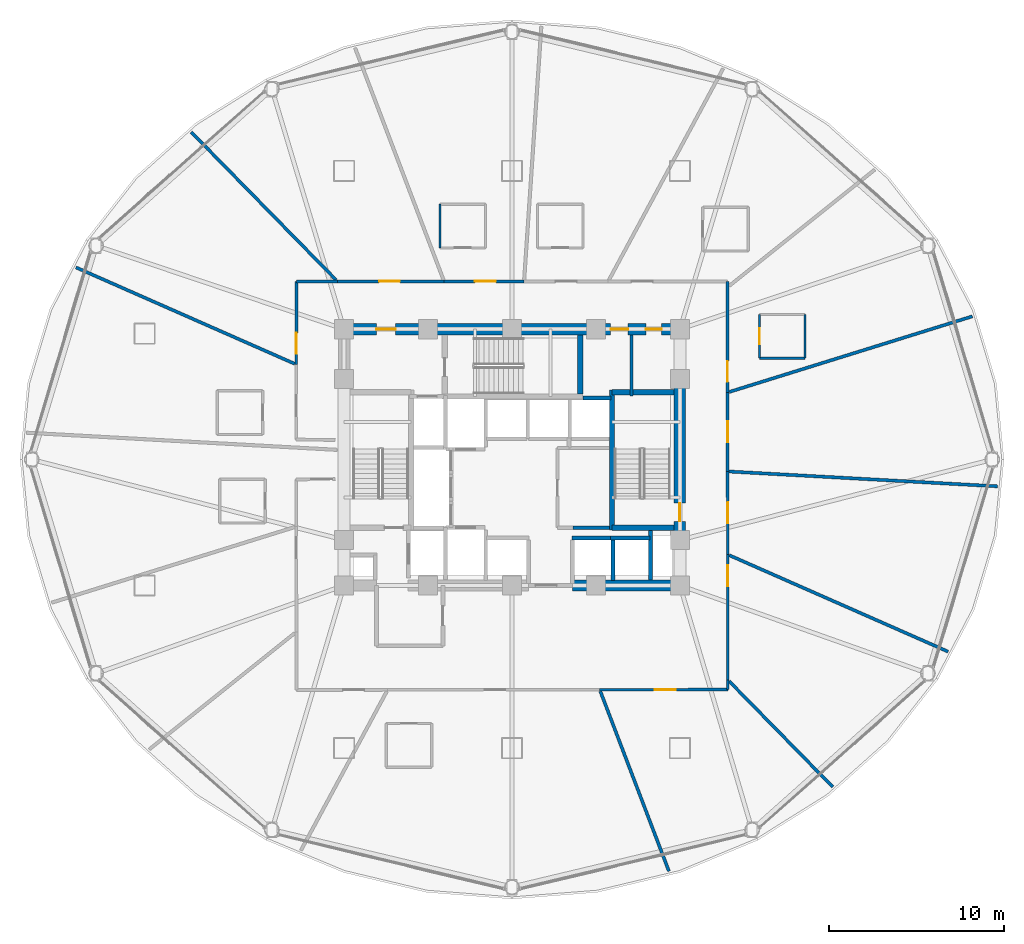
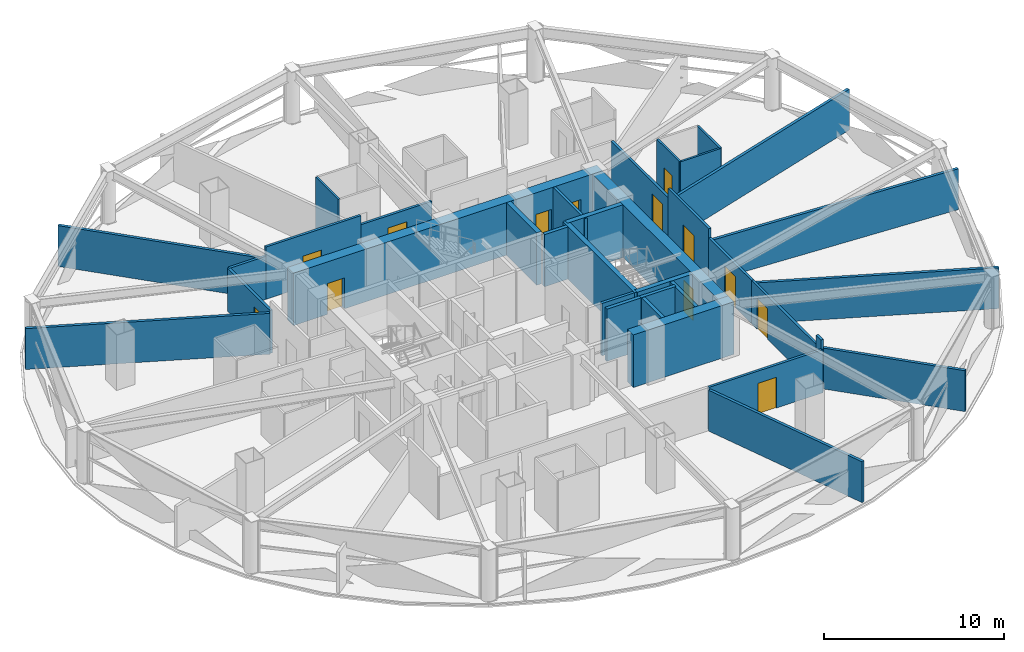
# One storey, part 23 of 29: 35 walls, 13 doors, 13 openings.
"""IFC4 building model written with IfcOpenShell, lengths in metres."""

from ifc_helpers import new_model, si_unit, direction, frame, frame_2d, origin, place, context, subcontext, project, spatial, rectangle, extrude, material, layer, layer_set, type_object, element, fill, save


model = new_model("IFC4")

# Units and contexts
model_context = context("Model", 3, precision=1e-05, world=origin(), true_north=direction((0.0, 1.0)))
body_context = subcontext(model_context, "Body", "Model", "MODEL_VIEW")
ifc_project = project(units=[si_unit("LENGTHUNIT", "METRE"), si_unit("AREAUNIT", "SQUARE_METRE"), si_unit("VOLUMEUNIT", "CUBIC_METRE"), si_unit("PLANEANGLEUNIT", "RADIAN"), si_unit("MASSUNIT", "GRAM", prefix="KILO")], contexts=[model_context])

# Site, building, storey
site_placement = place(None, origin())
site = spatial("IfcSite", under=ifc_project, at=site_placement, CompositionType="ELEMENT")
building_placement = place(site_placement, origin())
building = spatial("IfcBuilding", under=site, at=building_placement, Name="Vantalir Tower", CompositionType="ELEMENT")
storey_placement = place(building_placement, frame((0.0, 0.0, 60.75)))
storey = spatial("IfcBuildingStorey", under=building, at=storey_placement, Name="L14", CompositionType="ELEMENT", Elevation=60.75)

# Wall
ifc_material_1 = material(Name="Moisture-resistant en-suite partition", Category="gypsum")
ifc_layer_1 = layer(ifc_material_1, 0.125)
ifc_layer_set_1 = layer_set([ifc_layer_1], Name="Moisture-resistant en-suite partition")
wall_type_1 = type_object("IfcWallType", Name="WL-BATH-125", PredefinedType="PARTITIONING", material=ifc_layer_set_1)
wall_1_placement = place(storey_placement, frame((45.64990234375, 30.79296875, 0.0), z_axis=(0.0, 0.0, 1.0), x_axis=(1.0, 0.0, 0.0)))
element("IfcWall", 1, at=wall_1_placement, inside=storey, type_object=wall_type_1, Name="L14 En-suite 01 South Wall", PredefinedType="PARTITIONING", context=body_context, shape_type="SweptSolid", body=[
    extrude(rectangle(XDim=2.60009765625, YDim=0.125, at=frame_2d((1.300048828125, 0.0))), origin(), (0.0, 0.0, 1.0), 3.550048828125),
])

# Wall, opening, door
wall_2_placement = place(storey_placement, frame((45.64990234375, 30.79296875, 0.0), z_axis=(0.0, 0.0, 1.0), x_axis=(0.0, 1.0, 0.0)))
wall_2 = element("IfcWall", 2, at=wall_2_placement, inside=storey, type_object=wall_type_1, Name="L14 En-suite 01 West Wall", PredefinedType="PARTITIONING", context=body_context, shape_type="SweptSolid", body=[
    extrude(rectangle(XDim=2.5, YDim=0.125, at=frame_2d((1.25, 0.0))), origin(), (0.0, 0.0, 1.0), 3.550048828125),
])
opening_1_placement = place(wall_2_placement, frame((0.800048828125, 0.0, 0.0)))
opening_1 = element("IfcOpeningElement", 3, at=opening_1_placement, cuts=wall_2, Name="Opening D-WC", PredefinedType="OPENING", context=body_context, shape_type="SweptSolid", body=[
    extrude(rectangle(XDim=0.89990234375, YDim=2.10009765625, at=frame_2d((0.449951171875, 1.050048828125))), frame((0.0, 0.072509765625, 0.0), z_axis=(0.0, -1.0, 0.0), x_axis=(1.0, 0.0, 0.0)), (0.0, 0.0, 1.0), 0.14501953125),
])
ifc_material_2 = material(Name="Moisture-resistant hardwood door", Category="wood")
door_type_1 = type_object("IfcDoorType", Name="DR-ENSUITE-900", OperationType="NOTDEFINED", PredefinedType="DOOR", material=ifc_material_2)
door_1_placement = place(opening_1_placement, frame((0.89990234375, 0.0, 0.0), z_axis=(0.0, 0.0, 1.0), x_axis=(-1.0, 0.0, 0.0)))
door_1 = element("IfcDoor", 4, at=door_1_placement, inside=storey, type_object=door_type_1, Name="L14 En-suite 01 Door", OperationType="SINGLE_SWING_RIGHT", OverallHeight=2.10009765625, OverallWidth=0.89990234375, PredefinedType="DOOR", context=body_context, shape_type="SweptSolid", body=[
    extrude(rectangle(XDim=0.89990234375, YDim=2.10009765625, at=frame_2d((0.449951171875, 1.050048828125))), frame((0.0, 0.02490234375, 0.0), z_axis=(0.0, -1.0, 0.0), x_axis=(1.0, 0.0, 0.0)), (0.0, 0.0, 1.0), 0.050048828125),
])
fill(opening_1, door_1)

# Walls
for number, where, z_axis, x_axis, name in (
    (5, (48.25, 30.79296875, 0.0), (0.0, 0.0, 1.0), (0.0, 1.0, 0.0), "L14 En-suite 01 East Wall"),
    (6, (27.381103515625, 37.097900390625, 0.0), (0.0, 0.0, 1.0), (0.0, 1.0, 0.0), "L14 En-suite 04 West Wall"),
):
    element("IfcWall", number, at=place(storey_placement, frame(where, z_axis=z_axis, x_axis=x_axis)), inside=storey, type_object=wall_type_1, Name=name, PredefinedType="PARTITIONING", context=body_context, shape_type="SweptSolid", body=[
        extrude(rectangle(XDim=2.5, YDim=0.125, at=frame_2d((1.25, 0.0))), origin(), (0.0, 0.0, 1.0), 3.550048828125),
    ])
ifc_material_3 = material(Name="Concrete C60/75", Category="concrete")
ifc_layer_2 = layer(ifc_material_3, 0.64990234375)
ifc_layer_set_2 = layer_set([ifc_layer_2], Name="Concrete C60/75")
wall_type_2 = type_object("IfcWallType", Name="WL-CORE-650", PredefinedType="SHEAR", material=ifc_layer_set_2)
wall_3_placement = place(storey_placement, frame((34.949951171875, 17.800048828125, 0.0), z_axis=(0.0, 0.0, 1.0), x_axis=(1.0, 0.0, 0.0)))
element("IfcWall", 7, at=wall_3_placement, inside=storey, type_object=wall_type_2, Name="L14 Core Shear Wall South-East", PredefinedType="SHEAR", context=body_context, shape_type="SweptSolid", body=[
    extrude(rectangle(XDim=6.47509765625, YDim=0.64990234375, at=frame_2d((3.237548828125, 0.0))), origin(), (0.0, 0.0, 1.0), 3.570068359375),
])

# Wall, openings, doors
wall_4_placement = place(storey_placement, frame((21.574951171875, 32.449951171875, 0.0), z_axis=(0.0, 0.0, 1.0), x_axis=(1.0, 0.0, 0.0)))
wall_4 = element("IfcWall", 8, at=wall_4_placement, inside=storey, type_object=wall_type_2, Name="L14 Core Shear Wall North", PredefinedType="SHEAR", context=body_context, shape_type="SweptSolid", body=[
    extrude(rectangle(XDim=19.85009765625, YDim=0.64990234375, at=frame_2d((9.925048828125, 0.0))), origin(), (0.0, 0.0, 1.0), 3.570068359375),
])
opening_2_placement = place(wall_4_placement, frame((2.175048828125, 0.0, 0.0)))
opening_2 = element("IfcOpeningElement", 9, at=opening_2_placement, cuts=wall_4, Name="Opening D-FFL", PredefinedType="OPENING", context=body_context, shape_type="SweptSolid", body=[
    extrude(rectangle(XDim=1.10009765625, YDim=2.10009765625, at=frame_2d((0.550048828125, 1.050048828125))), frame((0.0, 0.3349609375, 0.0), z_axis=(0.0, -1.0, 0.0), x_axis=(1.0, 0.0, 0.0)), (0.0, 0.0, 1.0), 0.669921875),
])
opening_3_placement = place(wall_4_placement, frame((15.56494140625, 0.0, 0.0)))
opening_3 = element("IfcOpeningElement", 10, at=opening_3_placement, cuts=wall_4, Name="Opening D-GUEST", PredefinedType="OPENING", context=body_context, shape_type="SweptSolid", body=[
    extrude(rectangle(XDim=1.0, YDim=2.10009765625, at=frame_2d((0.5, 1.050048828125))), frame((0.0, 0.3349609375, 0.0), z_axis=(0.0, -1.0, 0.0), x_axis=(1.0, 0.0, 0.0)), (0.0, 0.0, 1.0), 0.669921875),
])
opening_4_placement = place(wall_4_placement, frame((17.574951171875, 0.0, 0.0)))
opening_4 = element("IfcOpeningElement", 11, at=opening_4_placement, cuts=wall_4, Name="Opening D-CR", PredefinedType="OPENING", context=body_context, shape_type="SweptSolid", body=[
    extrude(rectangle(XDim=0.89990234375, YDim=2.10009765625, at=frame_2d((0.449951171875, 1.050048828125))), frame((0.0, 0.3349609375, 0.0), z_axis=(0.0, -1.0, 0.0), x_axis=(1.0, 0.0, 0.0)), (0.0, 0.0, 1.0), 0.669921875),
])
ifc_material_4 = material(Name="Fire-rated steel core service door", Category="steel")
door_type_2 = type_object("IfcDoorType", Name="DR-CORE-SERV-900", OperationType="NOTDEFINED", PredefinedType="DOOR", material=ifc_material_4)
door_2_placement = place(opening_4_placement, frame((0.89990234375, 0.0, 0.0), z_axis=(0.0, 0.0, 1.0), x_axis=(-1.0, 0.0, 0.0)))
door_2 = element("IfcDoor", 12, at=door_2_placement, inside=storey, type_object=door_type_2, Name="L14 Housekeeping and Linen Room Door", OperationType="SINGLE_SWING_RIGHT", OverallHeight=2.10009765625, OverallWidth=0.89990234375, PredefinedType="DOOR", context=body_context, shape_type="SweptSolid", body=[
    extrude(rectangle(XDim=0.89990234375, YDim=2.10009765625, at=frame_2d((0.449951171875, 1.050048828125))), frame((0.0, 0.02490234375, 0.0), z_axis=(0.0, -1.0, 0.0), x_axis=(1.0, 0.0, 0.0)), (0.0, 0.0, 1.0), 0.050048828125),
])
fill(opening_4, door_2)
ifc_material_5 = material(Name="Fire-rated acoustic steel door", Category="steel")
door_type_3 = type_object("IfcDoorType", Name="DR-FIRE-LOBBY-1100", OperationType="NOTDEFINED", PredefinedType="DOOR", material=ifc_material_5)
door_3_placement = place(opening_2_placement, frame((1.10009765625, 0.0, 0.0), z_axis=(0.0, 0.0, 1.0), x_axis=(-1.0, 0.0, 0.0)))
door_3 = element("IfcDoor", 13, at=door_3_placement, inside=storey, type_object=door_type_3, Name="L14 Firefighting Lobby East Access Door", OperationType="SINGLE_SWING_RIGHT", OverallHeight=2.10009765625, OverallWidth=1.10009765625, PredefinedType="DOOR", context=body_context, shape_type="SweptSolid", body=[
    extrude(rectangle(XDim=1.10009765625, YDim=2.10009765625, at=frame_2d((0.550048828125, 1.050048828125))), frame((0.0, 0.02490234375, 0.0), z_axis=(0.0, -1.0, 0.0), x_axis=(1.0, 0.0, 0.0)), (0.0, 0.0, 1.0), 0.050048828125),
])
fill(opening_2, door_3)
ifc_material_6 = material(Name="Solid-core teak veneer acoustic fire door", Category="wood")
door_type_4 = type_object("IfcDoorType", Name="DR-GUEST-ENTRY-1000", OperationType="NOTDEFINED", PredefinedType="DOOR", material=ifc_material_6)
door_4_placement = place(opening_3_placement, frame((1.0, 0.0, 0.0), z_axis=(0.0, 0.0, 1.0), x_axis=(-1.0, 0.0, 0.0)))
door_4 = element("IfcDoor", 14, at=door_4_placement, inside=storey, type_object=door_type_4, Name="L14 High-Rise Lift Lobby Door", OperationType="SINGLE_SWING_LEFT", OverallHeight=2.10009765625, OverallWidth=1.0, PredefinedType="DOOR", context=body_context, shape_type="SweptSolid", body=[
    extrude(rectangle(XDim=1.0, YDim=2.10009765625, at=frame_2d((0.5, 1.050048828125))), frame((0.0, 0.02490234375, 0.0), z_axis=(0.0, -1.0, 0.0), x_axis=(1.0, 0.0, 0.0)), (0.0, 0.0, 1.0), 0.050048828125),
])
fill(opening_3, door_4)

# Wall, opening, door
wall_5_placement = place(storey_placement, frame((41.10009765625, 18.125, 0.0), z_axis=(0.0, 0.0, 1.0), x_axis=(0.0, 1.0, 0.0)))
wall_5 = element("IfcWall", 15, at=wall_5_placement, inside=storey, type_object=wall_type_2, Name="L14 Core Shear Wall East", PredefinedType="SHEAR", context=body_context, shape_type="SweptSolid", body=[
    extrude(rectangle(XDim=14.0, YDim=0.64990234375, at=frame_2d((7.0, 0.0))), origin(), (0.0, 0.0, 1.0), 3.570068359375),
])
opening_5_placement = place(wall_5_placement, frame((3.3349609375, 0.0, 0.0)))
opening_5 = element("IfcOpeningElement", 16, at=opening_5_placement, cuts=wall_5, Name="Opening D-ST", PredefinedType="OPENING", context=body_context, shape_type="SweptSolid", body=[
    extrude(rectangle(XDim=1.050048828125, YDim=2.10009765625, at=frame_2d((0.52490234375, 1.050048828125))), frame((0.0, 0.3349609375, 0.0), z_axis=(0.0, -1.0, 0.0), x_axis=(1.0, 0.0, 0.0)), (0.0, 0.0, 1.0), 0.669921875),
])
ifc_material_7 = material(Name="Fire-rated steel door leaf", Category="steel")
door_type_5 = type_object("IfcDoorType", Name="DR-FIRE-STAIR-1050", OperationType="NOTDEFINED", PredefinedType="DOOR", material=ifc_material_7)
door_5_placement = place(opening_5_placement, origin())
door_5 = element("IfcDoor", 17, at=door_5_placement, inside=storey, type_object=door_type_5, Name="L14 Exit Stair ST2 Fire Door", OperationType="SINGLE_SWING_LEFT", OverallHeight=2.10009765625, OverallWidth=1.050048828125, PredefinedType="DOOR", context=body_context, shape_type="SweptSolid", body=[
    extrude(rectangle(XDim=1.050048828125, YDim=2.10009765625, at=frame_2d((0.52490234375, 1.050048828125))), frame((0.0, 0.02490234375, 0.0), z_axis=(0.0, -1.0, 0.0), x_axis=(1.0, 0.0, 0.0)), (0.0, 0.0, 1.0), 0.050048828125),
])
fill(opening_5, door_5)

ifc_material_8 = material(Name="Fire-rated hotel corridor acoustic partition", Category="gypsum")
ifc_layer_3 = layer(ifc_material_8, 0.159912109375)
ifc_layer_set_3 = layer_set([ifc_layer_3], Name="Fire-rated hotel corridor acoustic partition")
wall_type_3 = type_object("IfcWallType", Name="WL-CORR-160", PredefinedType="PARTITIONING", material=ifc_layer_set_3)
wall_6_placement = place(storey_placement, frame((19.169921875, 30.431884765625, 0.0), z_axis=(0.0, 0.0, 1.0), x_axis=(0.002311360614, 0.999997328802, 0.0)))
wall_6 = element("IfcWall", 18, at=wall_6_placement, inside=storey, type_object=wall_type_3, Name="L14 Corridor Partition 03", PredefinedType="PARTITIONING", context=body_context, shape_type="SweptSolid", body=[
    extrude(rectangle(XDim=4.753173828125, YDim=0.159912109375, at=frame_2d((2.37646484375, 0.0))), origin(), (0.0, 0.0, 1.0), 2.927978515625),
])
opening_6_placement = place(wall_6_placement, frame((0.60107421875, 0.0, 0.0)))
opening_6 = element("IfcOpeningElement", 19, at=opening_6_placement, cuts=wall_6, Name="Opening D-STE", PredefinedType="OPENING", context=body_context, shape_type="SweptSolid", body=[
    extrude(rectangle(XDim=1.199951171875, YDim=2.10009765625, at=frame_2d((0.60009765625, 1.050048828125))), frame((0.0, 0.08984375, 0.0), z_axis=(0.0, -1.0, 0.0), x_axis=(1.0, 0.0, 0.0)), (0.0, 0.0, 1.0), 0.179931640625),
])
ifc_material_9 = material(Name="Solid-core teak veneer suite entrance door", Category="wood")
door_type_6 = type_object("IfcDoorType", Name="DR-SUITE-ENTRY-1200", OperationType="NOTDEFINED", PredefinedType="DOOR", material=ifc_material_9)
door_6_placement = place(opening_6_placement, origin())
door_6 = element("IfcDoor", 20, at=door_6_placement, inside=storey, type_object=door_type_6, Name="L14 Executive Sky Boardroom 06 Door", OperationType="SINGLE_SWING_LEFT", OverallHeight=2.10009765625, OverallWidth=1.199951171875, PredefinedType="DOOR", context=body_context, shape_type="SweptSolid", body=[
    extrude(rectangle(XDim=1.199951171875, YDim=2.10009765625, at=frame_2d((0.60009765625, 1.050048828125))), frame((0.0, 0.02490234375, 0.0), z_axis=(0.0, -1.0, 0.0), x_axis=(1.0, 0.0, 0.0)), (0.0, 0.0, 1.0), 0.050048828125),
])
fill(opening_6, door_6)

# Wall
wall_7_placement = place(storey_placement, frame((19.180908203125, 35.18505859375, 0.0), z_axis=(0.0, 0.0, 1.0), x_axis=(1.0, 0.0, 0.0)))
element("IfcWall", 21, at=wall_7_placement, inside=storey, type_object=wall_type_3, Name="L14 Corridor Partition 04", PredefinedType="PARTITIONING", context=body_context, shape_type="SweptSolid", body=[
    extrude(rectangle(XDim=2.343017578125, YDim=0.159912109375, at=frame_2d((1.17138671875, 0.0))), origin(), (0.0, 0.0, 1.0), 2.927978515625),
])

# Wall, opening, door
wall_8_placement = place(storey_placement, frame((21.52392578125, 35.18505859375, 0.0), z_axis=(0.0, 0.0, 1.0), x_axis=(1.0, 0.0, 0.0)))
wall_8 = element("IfcWall", 22, at=wall_8_placement, inside=storey, type_object=wall_type_3, Name="L14 Corridor Partition 05", PredefinedType="PARTITIONING", context=body_context, shape_type="SweptSolid", body=[
    extrude(rectangle(XDim=6.093017578125, YDim=0.159912109375, at=frame_2d((3.04638671875, 0.0))), origin(), (0.0, 0.0, 1.0), 3.550048828125),
])
opening_7_placement = place(wall_8_placement, frame((2.373046875, 0.0, 0.0)))
opening_7 = element("IfcOpeningElement", 23, at=opening_7_placement, cuts=wall_8, Name="Opening D-STE", PredefinedType="OPENING", context=body_context, shape_type="SweptSolid", body=[
    extrude(rectangle(XDim=1.199951171875, YDim=2.10009765625, at=frame_2d((0.60009765625, 1.050048828125))), frame((0.0, 0.08984375, 0.0), z_axis=(0.0, -1.0, 0.0), x_axis=(1.0, 0.0, 0.0)), (0.0, 0.0, 1.0), 0.179931640625),
])
door_7_placement = place(opening_7_placement, origin())
door_7 = element("IfcDoor", 24, at=door_7_placement, inside=storey, type_object=door_type_6, Name="L14 Executive Sky Boardroom 05 Door", OperationType="SINGLE_SWING_RIGHT", OverallHeight=2.10009765625, OverallWidth=1.199951171875, PredefinedType="DOOR", context=body_context, shape_type="SweptSolid", body=[
    extrude(rectangle(XDim=1.199951171875, YDim=2.10009765625, at=frame_2d((0.60009765625, 1.050048828125))), frame((0.0, 0.02490234375, 0.0), z_axis=(0.0, -1.0, 0.0), x_axis=(1.0, 0.0, 0.0)), (0.0, 0.0, 1.0), 0.050048828125),
])
fill(opening_7, door_7)

wall_9_placement = place(storey_placement, frame((27.616943359375, 35.18505859375, 0.0), z_axis=(0.0, 0.0, 1.0), x_axis=(1.0, 0.0, 0.0)))
wall_9 = element("IfcWall", 25, at=wall_9_placement, inside=storey, type_object=wall_type_3, Name="L14 Corridor Partition 06", PredefinedType="PARTITIONING", context=body_context, shape_type="SweptSolid", body=[
    extrude(rectangle(XDim=4.572998046875, YDim=0.159912109375, at=frame_2d((2.28662109375, 0.0))), origin(), (0.0, 0.0, 1.0), 2.927978515625),
])
opening_8_placement = place(wall_9_placement, frame((1.759033203125, 0.0, 0.0)))
opening_8 = element("IfcOpeningElement", 26, at=opening_8_placement, cuts=wall_9, Name="Opening D-STE", PredefinedType="OPENING", context=body_context, shape_type="SweptSolid", body=[
    extrude(rectangle(XDim=1.199951171875, YDim=2.10009765625, at=frame_2d((0.60009765625, 1.050048828125))), frame((0.0, 0.08984375, 0.0), z_axis=(0.0, -1.0, 0.0), x_axis=(1.0, 0.0, 0.0)), (0.0, 0.0, 1.0), 0.179931640625),
])
door_8_placement = place(opening_8_placement, origin())
door_8 = element("IfcDoor", 27, at=door_8_placement, inside=storey, type_object=door_type_6, Name="L14 Corner Panorama Hotel Suite 04 Door", OperationType="SINGLE_SWING_LEFT", OverallHeight=2.10009765625, OverallWidth=1.199951171875, PredefinedType="DOOR", context=body_context, shape_type="SweptSolid", body=[
    extrude(rectangle(XDim=1.199951171875, YDim=2.10009765625, at=frame_2d((0.60009765625, 1.050048828125))), frame((0.0, 0.02490234375, 0.0), z_axis=(0.0, -1.0, 0.0), x_axis=(1.0, 0.0, 0.0)), (0.0, 0.0, 1.0), 0.050048828125),
])
fill(opening_8, door_8)

wall_10_placement = place(storey_placement, frame((43.819091796875, 35.18505859375, 0.0), z_axis=(0.0, 0.0, 1.0), x_axis=(0.000614958758, -0.999999810913, 0.0)))
wall_10 = element("IfcWall", 28, at=wall_10_placement, inside=storey, type_object=wall_type_3, Name="L14 Corridor Partition 09", PredefinedType="PARTITIONING", context=body_context, shape_type="SweptSolid", body=[
    extrude(rectangle(XDim=6.35205078125, YDim=0.159912109375, at=frame_2d((3.176025390625, 0.0))), origin(), (0.0, 0.0, 1.0), 2.927978515625),
])
opening_9_placement = place(wall_10_placement, frame((4.552978515625, 0.0, 0.0)))
opening_9 = element("IfcOpeningElement", 29, at=opening_9_placement, cuts=wall_10, Name="Opening D-STE", PredefinedType="OPENING", context=body_context, shape_type="SweptSolid", body=[
    extrude(rectangle(XDim=1.199951171875, YDim=2.10009765625, at=frame_2d((0.60009765625, 1.050048828125))), frame((0.0, 0.08984375, 0.0), z_axis=(0.0, -1.0, 0.0), x_axis=(1.0, 0.0, 0.0)), (0.0, 0.0, 1.0), 0.179931640625),
])
door_9_placement = place(opening_9_placement, origin())
door_9 = element("IfcDoor", 30, at=door_9_placement, inside=storey, type_object=door_type_6, Name="L14 Corner Panorama Hotel Suite 01 Door", OperationType="SINGLE_SWING_RIGHT", OverallHeight=2.10009765625, OverallWidth=1.199951171875, PredefinedType="DOOR", context=body_context, shape_type="SweptSolid", body=[
    extrude(rectangle(XDim=1.199951171875, YDim=2.10009765625, at=frame_2d((0.60009765625, 1.050048828125))), frame((0.0, 0.02490234375, 0.0), z_axis=(0.0, -1.0, 0.0), x_axis=(1.0, 0.0, 0.0)), (0.0, 0.0, 1.0), 0.050048828125),
])
fill(opening_9, door_9)

wall_11_placement = place(storey_placement, frame((43.822998046875, 28.8330078125, 0.0), z_axis=(0.0, 0.0, 1.0), x_axis=(0.000865379091, -0.999999625559, 0.0)))
wall_11 = element("IfcWall", 31, at=wall_11_placement, inside=storey, type_object=wall_type_3, Name="L14 Corridor Partition 10", PredefinedType="PARTITIONING", context=body_context, shape_type="SweptSolid", body=[
    extrude(rectangle(XDim=4.513916015625, YDim=0.159912109375, at=frame_2d((2.2568359375, 0.0))), origin(), (0.0, 0.0, 1.0), 3.550048828125),
])
opening_10_placement = place(wall_11_placement, frame((1.656982421875, 0.0, 0.0)))
opening_10 = element("IfcOpeningElement", 32, at=opening_10_placement, cuts=wall_11, Name="Opening D-STE", PredefinedType="OPENING", context=body_context, shape_type="SweptSolid", body=[
    extrude(rectangle(XDim=1.199951171875, YDim=2.10009765625, at=frame_2d((0.60009765625, 1.050048828125))), frame((0.0, 0.08984375, 0.0), z_axis=(0.0, -1.0, 0.0), x_axis=(1.0, 0.0, 0.0)), (0.0, 0.0, 1.0), 0.179931640625),
])
door_10_placement = place(opening_10_placement, origin())
door_10 = element("IfcDoor", 33, at=door_10_placement, inside=storey, type_object=door_type_6, Name="L14 Executive Sky Boardroom 15 Door", OperationType="SINGLE_SWING_RIGHT", OverallHeight=2.10009765625, OverallWidth=1.199951171875, PredefinedType="DOOR", context=body_context, shape_type="SweptSolid", body=[
    extrude(rectangle(XDim=1.199951171875, YDim=2.10009765625, at=frame_2d((0.60009765625, 1.050048828125))), frame((0.0, 0.02490234375, 0.0), z_axis=(0.0, -1.0, 0.0), x_axis=(1.0, 0.0, 0.0)), (0.0, 0.0, 1.0), 0.050048828125),
])
fill(opening_10, door_10)

wall_12_placement = place(storey_placement, frame((43.826904296875, 24.319091796875, 0.0), z_axis=(0.0, 0.0, 1.0), x_axis=(0.00066803685, -0.999999776863, 0.0)))
wall_12 = element("IfcWall", 34, at=wall_12_placement, inside=storey, type_object=wall_type_3, Name="L14 Corridor Partition 11", PredefinedType="PARTITIONING", context=body_context, shape_type="SweptSolid", body=[
    extrude(rectangle(XDim=4.7509765625, YDim=0.159912109375, at=frame_2d((2.37548828125, 0.0))), origin(), (0.0, 0.0, 1.0), 2.927978515625),
])
opening_11_placement = place(wall_12_placement, frame((1.77587890625, 0.0, 0.0)))
opening_11 = element("IfcOpeningElement", 35, at=opening_11_placement, cuts=wall_12, Name="Opening D-STE", PredefinedType="OPENING", context=body_context, shape_type="SweptSolid", body=[
    extrude(rectangle(XDim=1.199951171875, YDim=2.10009765625, at=frame_2d((0.60009765625, 1.050048828125))), frame((0.0, 0.08984375, 0.0), z_axis=(0.0, -1.0, 0.0), x_axis=(1.0, 0.0, 0.0)), (0.0, 0.0, 1.0), 0.179931640625),
])
door_11_placement = place(opening_11_placement, origin())
door_11 = element("IfcDoor", 36, at=door_11_placement, inside=storey, type_object=door_type_6, Name="L14 Executive Sky Boardroom 14 Door", OperationType="SINGLE_SWING_LEFT", OverallHeight=2.10009765625, OverallWidth=1.199951171875, PredefinedType="DOOR", context=body_context, shape_type="SweptSolid", body=[
    extrude(rectangle(XDim=1.199951171875, YDim=2.10009765625, at=frame_2d((0.60009765625, 1.050048828125))), frame((0.0, 0.02490234375, 0.0), z_axis=(0.0, -1.0, 0.0), x_axis=(1.0, 0.0, 0.0)), (0.0, 0.0, 1.0), 0.050048828125),
])
fill(opening_11, door_11)

wall_13_placement = place(storey_placement, frame((43.830078125, 19.568115234375, 0.0), z_axis=(0.0, 0.0, 1.0), x_axis=(0.000681849016, -0.999999767541, 0.0)))
wall_13 = element("IfcWall", 37, at=wall_13_placement, inside=storey, type_object=wall_type_3, Name="L14 Corridor Partition 12", PredefinedType="PARTITIONING", context=body_context, shape_type="SweptSolid", body=[
    extrude(rectangle(XDim=7.1611328125, YDim=0.159912109375, at=frame_2d((3.58056640625, 0.0))), origin(), (0.0, 0.0, 1.0), 2.927978515625),
])
opening_12_placement = place(wall_13_placement, frame((0.60498046875, 0.0, 0.0)))
opening_12 = element("IfcOpeningElement", 38, at=opening_12_placement, cuts=wall_13, Name="Opening D-STE", PredefinedType="OPENING", context=body_context, shape_type="SweptSolid", body=[
    extrude(rectangle(XDim=1.199951171875, YDim=2.10009765625, at=frame_2d((0.60009765625, 1.050048828125))), frame((0.0, 0.08984375, 0.0), z_axis=(0.0, -1.0, 0.0), x_axis=(1.0, 0.0, 0.0)), (0.0, 0.0, 1.0), 0.179931640625),
])
door_12_placement = place(opening_12_placement, origin())
door_12 = element("IfcDoor", 39, at=door_12_placement, inside=storey, type_object=door_type_6, Name="L14 Executive Sky Boardroom 13 Door", OperationType="SINGLE_SWING_RIGHT", OverallHeight=2.10009765625, OverallWidth=1.199951171875, PredefinedType="DOOR", context=body_context, shape_type="SweptSolid", body=[
    extrude(rectangle(XDim=1.199951171875, YDim=2.10009765625, at=frame_2d((0.60009765625, 1.050048828125))), frame((0.0, 0.02490234375, 0.0), z_axis=(0.0, -1.0, 0.0), x_axis=(1.0, 0.0, 0.0)), (0.0, 0.0, 1.0), 0.050048828125),
])
fill(opening_12, door_12)

# Wall
wall_14_placement = place(storey_placement, frame((43.8349609375, 12.406982421875, 0.0), z_axis=(0.0, 0.0, 1.0), x_axis=(0.0, -1.0, 0.0)))
element("IfcWall", 40, at=wall_14_placement, inside=storey, type_object=wall_type_3, Name="L14 Corridor Partition 13", PredefinedType="PARTITIONING", context=body_context, shape_type="SweptSolid", body=[
    extrude(rectangle(XDim=0.56103515625, YDim=0.159912109375, at=frame_2d((0.280517578125, 0.0))), origin(), (0.0, 0.0, 1.0), 3.550048828125),
])

# Wall, opening, door
wall_15_placement = place(storey_placement, frame((43.8349609375, 11.845947265625, 0.0), z_axis=(0.0, 0.0, 1.0), x_axis=(-0.999999777452, -0.000667155766, 0.0)))
wall_15 = element("IfcWall", 41, at=wall_15_placement, inside=storey, type_object=wall_type_3, Name="L14 Corridor Partition 14", PredefinedType="PARTITIONING", context=body_context, shape_type="SweptSolid", body=[
    extrude(rectangle(XDim=7.31884765625, YDim=0.159912109375, at=frame_2d((3.659423828125, 0.0))), origin(), (0.0, 0.0, 1.0), 2.927978515625),
])
opening_13_placement = place(wall_15_placement, frame((2.985107421875, 0.0, 0.0)))
opening_13 = element("IfcOpeningElement", 42, at=opening_13_placement, cuts=wall_15, Name="Opening D-STE", PredefinedType="OPENING", context=body_context, shape_type="SweptSolid", body=[
    extrude(rectangle(XDim=1.199951171875, YDim=2.10009765625, at=frame_2d((0.60009765625, 1.050048828125))), frame((0.0, 0.08984375, 0.0), z_axis=(0.0, -1.0, 0.0), x_axis=(1.0, 0.0, 0.0)), (0.0, 0.0, 1.0), 0.179931640625),
])
door_13_placement = place(opening_13_placement, origin())
door_13 = element("IfcDoor", 43, at=door_13_placement, inside=storey, type_object=door_type_6, Name="L14 Club Reading Lounge 12 Door", OperationType="SINGLE_SWING_LEFT", OverallHeight=2.10009765625, OverallWidth=1.199951171875, PredefinedType="DOOR", context=body_context, shape_type="SweptSolid", body=[
    extrude(rectangle(XDim=1.199951171875, YDim=2.10009765625, at=frame_2d((0.60009765625, 1.050048828125))), frame((0.0, 0.02490234375, 0.0), z_axis=(0.0, -1.0, 0.0), x_axis=(1.0, 0.0, 0.0)), (0.0, 0.0, 1.0), 0.050048828125),
])
fill(opening_13, door_13)

# Walls
ifc_material_10 = material(Name="Concrete blockwork with fireboard lining", Category="masonry")
ifc_layer_4 = layer(ifc_material_10, 0.219970703125)
ifc_layer_set_4 = layer_set([ifc_layer_4], Name="Concrete blockwork with fireboard lining")
wall_type_4 = type_object("IfcWallType", Name="WL-FFL-220", PredefinedType="PARTITIONING", material=ifc_layer_set_4)
wall_16_placement = place(storey_placement, frame((37.27490234375, 18.080078125, 0.0), z_axis=(0.0, 0.0, 1.0), x_axis=(0.0, 1.0, 0.0)))
element("IfcWall", 44, at=wall_16_placement, inside=storey, type_object=wall_type_4, Name="L14 Shuttle Lift PL-X2/X3 Shaft Divider", PredefinedType="PARTITIONING", context=body_context, shape_type="SweptSolid", body=[
    extrude(rectangle(XDim=2.309814453125, YDim=0.219970703125, at=frame_2d((1.15478515625, 0.0))), origin(), (0.0, 0.0, 1.0), 3.544921875),
])
wall_17_placement = place(storey_placement, frame((39.419921875, 18.125, 0.0), z_axis=(0.0, 0.0, 1.0), x_axis=(0.0, 1.0, 0.0)))
element("IfcWall", 45, at=wall_17_placement, inside=storey, type_object=wall_type_4, Name="L14 East MEP Riser Wall W", PredefinedType="PARTITIONING", context=body_context, shape_type="SweptSolid", body=[
    extrude(rectangle(XDim=2.824951171875, YDim=0.219970703125, at=frame_2d((1.41259765625, 0.0))), origin(), (0.0, 0.0, 1.0), 3.550048828125),
])
for number, where, z_axis, x_axis, name in (
    (46, (37.139892578125, 20.510009765625, 0.0), (0.0, 0.0, 1.0), (1.0, 0.0, 0.0), "L14 Lift PL-X2 Shaft Rear Wall"),
    (47, (34.93994140625, 20.510009765625, 0.0), (0.0, 0.0, 1.0), (1.0, 0.0, 0.0), "L14 Lift PL-X3 Shaft Front Wall"),
):
    element("IfcWall", number, at=place(storey_placement, frame(where, z_axis=z_axis, x_axis=x_axis)), inside=storey, type_object=wall_type_4, Name=name, PredefinedType="PARTITIONING", context=body_context, shape_type="SweptSolid", body=[
        extrude(rectangle(XDim=2.239990234375, YDim=0.219970703125, at=frame_2d((1.1201171875, 0.0))), origin(), (0.0, 0.0, 1.0), 3.550048828125),
    ])
wall_18_placement = place(storey_placement, frame((35.56005859375, 28.510009765625, 0.0), z_axis=(0.0, 0.0, 1.0), x_axis=(1.0, 0.0, 0.0)))
element("IfcWall", 48, at=wall_18_placement, inside=storey, type_object=wall_type_4, Name="L14 Lift PL-H3 Shaft Front Wall", PredefinedType="PARTITIONING", context=body_context, shape_type="SweptSolid", body=[
    extrude(rectangle(XDim=1.599853515625, YDim=0.219970703125, at=frame_2d((0.7998046875, 0.0))), origin(), (0.0, 0.0, 1.0), 3.550048828125),
])
ifc_material_11 = material(Name="Twin-stud acoustic fire-rated gypsum partition", Category="gypsum")
ifc_layer_5 = layer(ifc_material_11, 0.179931640625)
ifc_layer_set_5 = layer_set([ifc_layer_5], Name="Twin-stud acoustic fire-rated gypsum partition")
wall_type_5 = type_object("IfcWallType", Name="WL-GUEST-180", PredefinedType="PARTITIONING", material=ifc_layer_set_5)
wall_19_placement = place(storey_placement, frame((34.97998046875, 21.10009765625, 0.0), z_axis=(0.0, 0.0, 1.0), x_axis=(1.0, 0.0, 0.0)))
element("IfcWall", 49, at=wall_19_placement, inside=storey, type_object=wall_type_5, Name="L14 Freed East Core South Wall", PredefinedType="PARTITIONING", context=body_context, shape_type="SweptSolid", body=[
    extrude(rectangle(XDim=2.080078125, YDim=0.179931640625, at=frame_2d((1.0400390625, 0.0))), origin(), (0.0, 0.0, 1.0), 3.550048828125),
])
wall_20_placement = place(storey_placement, frame((38.340087890625, 28.6201171875, 0.0), z_axis=(0.0, 0.0, 1.0), x_axis=(0.0, 1.0, 0.0)))
element("IfcWall", 50, at=wall_20_placement, inside=storey, type_object=wall_type_5, Name="L14 High-Rise Lift Lobby East Wall", PredefinedType="PARTITIONING", context=body_context, shape_type="SweptSolid", body=[
    extrude(rectangle(XDim=3.5048828125, YDim=0.179931640625, at=frame_2d((1.75244140625, 0.0))), origin(), (0.0, 0.0, 1.0), 3.550048828125),
])
wall_21_placement = place(storey_placement, frame((43.9150390625, 28.861083984375, 0.0), z_axis=(0.0, 0.0, 1.0), x_axis=(0.954884570259, 0.296977200271, 0.0)))
element("IfcWall", 51, at=wall_21_placement, inside=storey, type_object=wall_type_5, Name="L14 Radial Suite Partition 01", PredefinedType="PARTITIONING", context=body_context, shape_type="SweptSolid", body=[
    extrude(rectangle(XDim=14.56005859375, YDim=0.179931640625, at=frame_2d((7.280029296875, 0.0))), origin(), (0.0, 0.0, 1.0), 2.77490234375),
])
wall_22_placement = place(storey_placement, frame((21.445068359375, 35.264892578125, 0.0), z_axis=(0.0, 0.0, 1.0), x_axis=(-0.699754693744, 0.714383208498, 0.0)))
element("IfcWall", 52, at=wall_22_placement, inside=storey, type_object=wall_type_5, Name="L14 Radial Suite Partition 06", PredefinedType="PARTITIONING", context=body_context, shape_type="SweptSolid", body=[
    extrude(rectangle(XDim=11.832763671875, YDim=0.179931640625, at=frame_2d((5.91650390625, 0.0))), origin(), (0.0, 0.0, 1.0), 2.77490234375),
])
wall_23_placement = place(storey_placement, frame((19.0849609375, 30.468994140625, 0.0), z_axis=(0.0, 0.0, 1.0), x_axis=(-0.915142788341, 0.403129851223, 0.0)))
element("IfcWall", 53, at=wall_23_placement, inside=storey, type_object=wall_type_5, Name="L14 Radial Suite Partition 07", PredefinedType="PARTITIONING", context=body_context, shape_type="SweptSolid", body=[
    extrude(rectangle(XDim=13.67529296875, YDim=0.179931640625, at=frame_2d((6.837646484375, 0.0))), origin(), (0.0, 0.0, 1.0), 2.77490234375),
])
wall_24_placement = place(storey_placement, frame((36.551025390625, 11.75, 0.0), z_axis=(0.0, 0.0, 1.0), x_axis=(0.356220373455, -0.934401972138, 0.0)))
element("IfcWall", 54, at=wall_24_placement, inside=storey, type_object=wall_type_5, Name="L14 Radial Suite Partition 12", PredefinedType="PARTITIONING", context=body_context, shape_type="SweptSolid", body=[
    extrude(rectangle(XDim=11.0068359375, YDim=0.179931640625, at=frame_2d((5.50341796875, 0.0))), origin(), (0.0, 0.0, 1.0), 2.77490234375),
])
wall_25_placement = place(storey_placement, frame((43.9150390625, 12.324951171875, 0.0), z_axis=(0.0, 0.0, 1.0), x_axis=(0.699796666029, -0.714342093268, 0.0)))
element("IfcWall", 55, at=wall_25_placement, inside=storey, type_object=wall_type_5, Name="L14 Radial Suite Partition 13", PredefinedType="PARTITIONING", context=body_context, shape_type="SweptSolid", body=[
    extrude(rectangle(XDim=8.45947265625, YDim=0.179931640625, at=frame_2d((4.229736328125, 0.0))), origin(), (0.0, 0.0, 1.0), 2.77490234375),
])
wall_26_placement = place(storey_placement, frame((43.9150390625, 19.531005859375, 0.0), z_axis=(0.0, 0.0, 1.0), x_axis=(0.915142788341, -0.403129851223, 0.0)))
element("IfcWall", 56, at=wall_26_placement, inside=storey, type_object=wall_type_5, Name="L14 Radial Suite Partition 14", PredefinedType="PARTITIONING", context=body_context, shape_type="SweptSolid", body=[
    extrude(rectangle(XDim=13.67529296875, YDim=0.179931640625, at=frame_2d((6.837646484375, 0.0))), origin(), (0.0, 0.0, 1.0), 2.77490234375),
])
wall_27_placement = place(storey_placement, frame((43.9150390625, 24.31396484375, 0.0), z_axis=(0.0, 0.0, 1.0), x_axis=(0.998478397393, -0.055144264799, 0.0)))
element("IfcWall", 57, at=wall_27_placement, inside=storey, type_object=wall_type_5, Name="L14 Radial Suite Partition 15", PredefinedType="PARTITIONING", context=body_context, shape_type="SweptSolid", body=[
    extrude(rectangle(XDim=15.3583984375, YDim=0.179931640625, at=frame_2d((7.67919921875, 0.0))), origin(), (0.0, 0.0, 1.0), 2.77490234375),
])
ifc_material_12 = material(Name="Concrete C50/60", Category="concrete")
ifc_layer_6 = layer(ifc_material_12, 0.300048828125)
ifc_layer_set_6 = layer_set([ifc_layer_6], Name="Concrete C50/60")
wall_type_6 = type_object("IfcWallType", Name="WL-STAIR-300", PredefinedType="SHEAR", material=ifc_layer_set_6)
for number, where, z_axis, x_axis, name in (
    (58, (37.2099609375, 21.10009765625, 0.0), (0.0, 0.0, 1.0), (1.0, 0.0, 0.0), "L14 Stair ST2 South Wall"),
    (59, (37.2099609375, 28.85009765625, 0.0), (0.0, 0.0, 1.0), (1.0, 0.0, 0.0), "L14 Stair ST2 North Wall"),
):
    element("IfcWall", number, at=place(storey_placement, frame(where, z_axis=z_axis, x_axis=x_axis)), inside=storey, type_object=wall_type_6, Name=name, PredefinedType="SHEAR", context=body_context, shape_type="SweptSolid", body=[
        extrude(rectangle(XDim=3.56494140625, YDim=0.300048828125, at=frame_2d((1.782470703125, 0.0))), origin(), (0.0, 0.0, 1.0), 3.570068359375),
    ])
wall_28_placement = place(storey_placement, frame((37.2099609375, 20.97998046875, 0.0), z_axis=(0.0, 0.0, 1.0), x_axis=(0.0, 1.0, 0.0)))
element("IfcWall", 60, at=wall_28_placement, inside=storey, type_object=wall_type_6, Name="L14 Stair ST2 West Wall", PredefinedType="SHEAR", context=body_context, shape_type="SweptSolid", body=[
    extrude(rectangle(XDim=7.989990234375, YDim=0.300048828125, at=frame_2d((3.9951171875, 0.0))), origin(), (0.0, 0.0, 1.0), 3.570068359375),
])
wall_29_placement = place(storey_placement, frame((35.39990234375, 28.75, 0.0), z_axis=(0.0, 0.0, 1.0), x_axis=(0.0, 1.0, 0.0)))
element("IfcWall", 61, at=wall_29_placement, inside=storey, type_object=wall_type_6, Name="L14 Stair ST3 East Wall", PredefinedType="SHEAR", context=body_context, shape_type="SweptSolid", body=[
    extrude(rectangle(XDim=3.375, YDim=0.300048828125, at=frame_2d((1.6875, 0.0))), origin(), (0.0, 0.0, 1.0), 3.570068359375),
])

save(model, "model.ifc")
